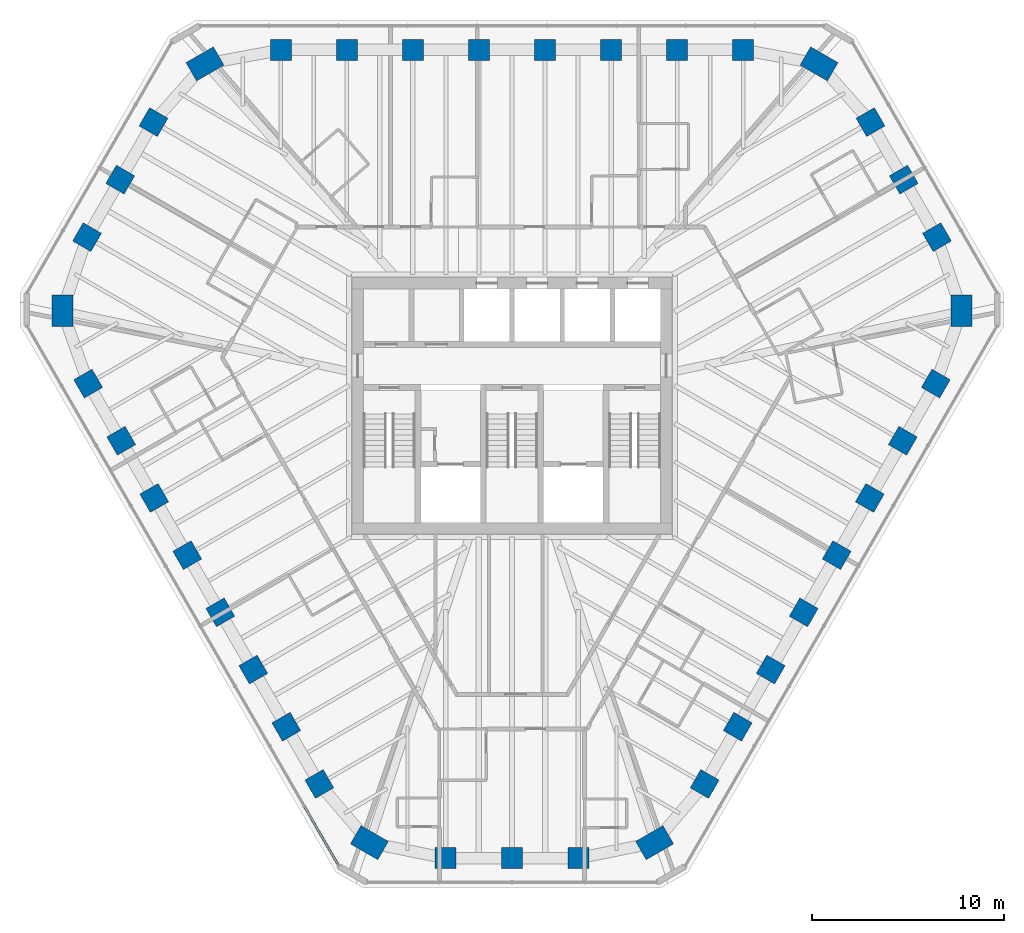
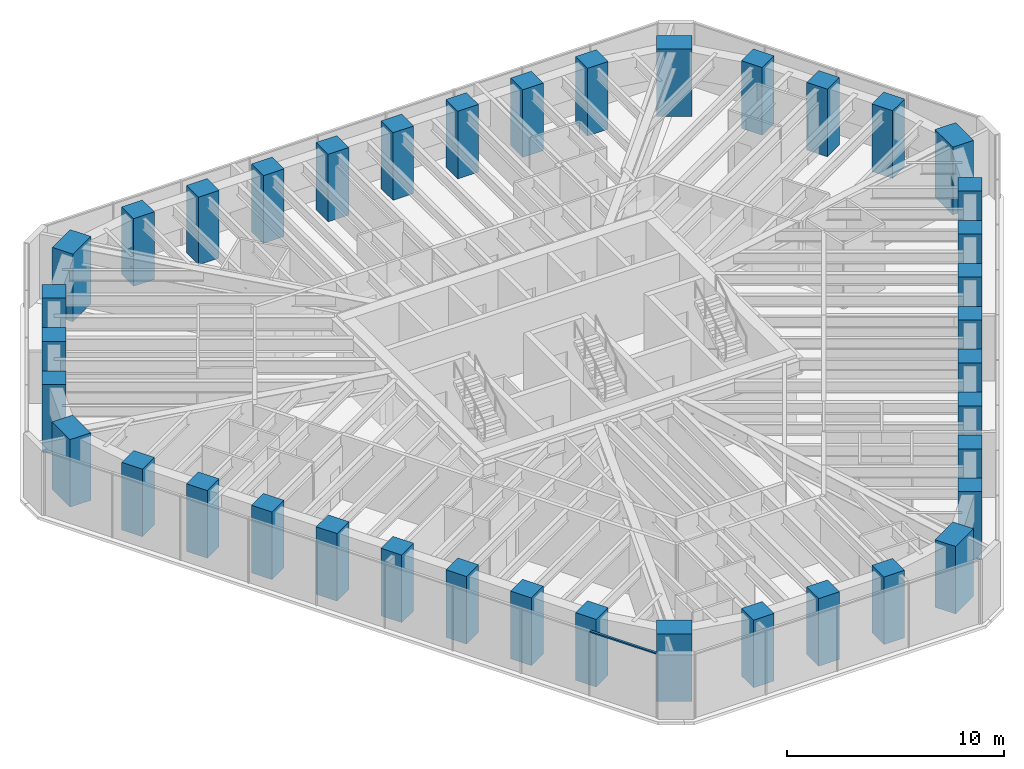
# One storey, part 1 of 14: 39 columns, 1 member, 1 element without a shape of its own.
"""IFC4 building model written with IfcOpenShell, lengths in metres."""

from ifc_helpers import new_model, si_unit, direction, frame, origin, origin_2d, place, context, subcontext, project, spatial, rectangle, extrude, material, material_profile, profile_set, type_object, element, aggregate, save


model = new_model("IFC4")

# Units and contexts
model_context = context("Model", 3, precision=1e-05, world=origin(), true_north=direction((0.0, 1.0)))
body_context = subcontext(model_context, "Body", "Model", "MODEL_VIEW")
ifc_project = project(units=[si_unit("LENGTHUNIT", "METRE"), si_unit("AREAUNIT", "SQUARE_METRE"), si_unit("VOLUMEUNIT", "CUBIC_METRE"), si_unit("PLANEANGLEUNIT", "RADIAN"), si_unit("MASSUNIT", "GRAM", prefix="KILO")], contexts=[model_context])

# Site, building, storey
site_placement = place(None, origin())
site = spatial("IfcSite", under=ifc_project, at=site_placement, CompositionType="ELEMENT")
building_placement = place(site_placement, origin())
building = spatial("IfcBuilding", under=site, at=building_placement, Name="Sandreach Pilgrim Tower", CompositionType="ELEMENT")
storey_placement = place(building_placement, frame((0.0, 0.0, 260.800048828125)))
storey = spatial("IfcBuildingStorey", under=building, at=storey_placement, Name="L65", CompositionType="ELEMENT", Elevation=260.800048828125)

# Columns
ifc_material_1 = material(Name="Concrete 10000 psi", Category="concrete")
ifc_material_profile_1 = material_profile(ifc_material_1, rectangle(XDim=1.10009765625, YDim=1.10009765625, at=origin_2d()), Name="RC1100X1100")
ifc_profile_set_1 = profile_set([ifc_material_profile_1], Name="Concrete 10000 psi")
column_type_1 = type_object("IfcColumnType", Name="Tube column RC1100X1100", PredefinedType="COLUMN", material=ifc_profile_set_1)
for number, where, z_axis, x_axis, name in (
    (1, (-12.0576171875, 18.56640625, 0.0), (0.0, 0.0, 1.0), (0.0, 1.0, 0.0), "COL L65 T01"),
    (2, (-8.612548828125, 18.56640625, 0.0), (0.0, 0.0, 1.0), (0.0, 1.0, 0.0), "COL L65 T02"),
    (3, (-5.16748046875, 18.56640625, 0.0), (0.0, 0.0, 1.0), (0.0, 1.0, 0.0), "COL L65 T03"),
    (4, (-1.722412109375, 18.56640625, 0.0), (0.0, 0.0, 1.0), (0.0, 1.0, 0.0), "COL L65 T04"),
    (5, (1.722412109375, 18.56640625, 0.0), (0.0, 0.0, 1.0), (0.0, 1.0, 0.0), "COL L65 T05"),
    (6, (5.16748046875, 18.56640625, 0.0), (0.0, 0.0, 1.0), (0.0, 1.0, 0.0), "COL L65 T06"),
    (7, (8.612548828125, 18.56640625, 0.0), (0.0, 0.0, 1.0), (0.0, 1.0, 0.0), "COL L65 T07"),
    (8, (12.0576171875, 18.56640625, 0.0), (0.0, 0.0, 1.0), (0.0, 1.0, 0.0), "COL L65 T08"),
    (9, (18.70361328125, 14.80029296875, 0.0), (0.0, 0.0, 1.0), (0.866025403784, 0.5, 0.0), "COL L65 T10"),
    (10, (20.4365234375, 11.799072265625, 0.0), (0.0, 0.0, 1.0), (0.866025403784, 0.5, 0.0), "COL L65 T11"),
    (11, (22.169189453125, 8.7978515625, 0.0), (0.0, 0.0, 1.0), (0.866025403784, 0.5, 0.0), "COL L65 T12"),
    (12, (22.10791015625, 1.158935546875, 0.0), (0.0, 0.0, 1.0), (0.866025403784, -0.5, 0.0), "COL L65 T14"),
    (13, (20.38525390625, -1.824462890625, 0.0), (0.0, 0.0, 1.0), (0.866025403784, -0.5, 0.0), "COL L65 T15"),
    (14, (18.662841796875, -4.80810546875, 0.0), (0.0, 0.0, 1.0), (0.866025403784, -0.5, 0.0), "COL L65 T16"),
    (15, (16.940185546875, -7.79150390625, 0.0), (0.0, 0.0, 1.0), (0.866025403784, -0.5, 0.0), "COL L65 T17"),
    (16, (15.2177734375, -10.77490234375, 0.0), (0.0, 0.0, 1.0), (0.866025403784, -0.5, 0.0), "COL L65 T18"),
    (17, (13.4951171875, -13.758544921875, 0.0), (0.0, 0.0, 1.0), (0.866025403784, -0.5, 0.0), "COL L65 T19"),
    (18, (11.772705078125, -16.741943359375, 0.0), (0.0, 0.0, 1.0), (0.866025403784, -0.5, 0.0), "COL L65 T20"),
    (19, (10.05029296875, -19.725341796875, 0.0), (0.0, 0.0, 1.0), (0.866025403784, -0.5, 0.0), "COL L65 T21"),
    (20, (3.465576171875, -23.59814453125, 0.0), (0.0, 0.0, 1.0), (0.0, -1.0, 0.0), "COL L65 T23"),
    (21, (0.0, -23.59814453125, 0.0), (0.0, 0.0, 1.0), (0.0, -1.0, 0.0), "COL L65 T24"),
    (22, (-3.465576171875, -23.59814453125, 0.0), (0.0, 0.0, 1.0), (0.0, -1.0, 0.0), "COL L65 T25"),
    (23, (-10.05029296875, -19.725341796875, 0.0), (0.0, 0.0, 1.0), (-0.866025403784, -0.5, 0.0), "COL L65 T27"),
    (24, (-11.772705078125, -16.741943359375, 0.0), (0.0, 0.0, 1.0), (-0.866025403784, -0.5, 0.0), "COL L65 T28"),
    (25, (-13.4951171875, -13.758544921875, 0.0), (0.0, 0.0, 1.0), (-0.866025403784, -0.5, 0.0), "COL L65 T29"),
    (26, (-15.2177734375, -10.77490234375, 0.0), (0.0, 0.0, 1.0), (-0.866025403784, -0.5, 0.0), "COL L65 T30"),
    (27, (-16.940185546875, -7.79150390625, 0.0), (0.0, 0.0, 1.0), (-0.866025403784, -0.5, 0.0), "COL L65 T31"),
    (28, (-18.662841796875, -4.80810546875, 0.0), (0.0, 0.0, 1.0), (-0.866025403784, -0.5, 0.0), "COL L65 T32"),
    (29, (-20.38525390625, -1.824462890625, 0.0), (0.0, 0.0, 1.0), (-0.866025403784, -0.5, 0.0), "COL L65 T33"),
    (30, (-22.10791015625, 1.158935546875, 0.0), (0.0, 0.0, 1.0), (-0.866025403784, -0.5, 0.0), "COL L65 T34"),
    (31, (-22.169189453125, 8.7978515625, 0.0), (0.0, 0.0, 1.0), (-0.866025403784, 0.5, 0.0), "COL L65 T36"),
    (32, (-20.4365234375, 11.799072265625, 0.0), (0.0, 0.0, 1.0), (-0.866025403784, 0.5, 0.0), "COL L65 T37"),
    (33, (-18.70361328125, 14.80029296875, 0.0), (0.0, 0.0, 1.0), (-0.866025403784, 0.5, 0.0), "COL L65 T38"),
):
    element("IfcColumn", number, at=place(storey_placement, frame(where, z_axis=z_axis, x_axis=x_axis)), inside=storey, type_object=column_type_1, Name=name, PredefinedType="COLUMN", context=body_context, shape_type="SweptSolid", body=[
        extrude(rectangle(XDim=1.10009765625, YDim=1.10009765625, at=origin_2d()), origin(), (0.0, 0.0, 1.0), 3.800048828125),
    ])
ifc_material_2 = material(Name="Concrete 10000 psi", Category="concrete")
ifc_material_profile_2 = material_profile(ifc_material_2, rectangle(XDim=1.10009765625, YDim=1.64990234375, at=origin_2d()), Name="RC1100X1650")
ifc_profile_set_2 = profile_set([ifc_material_profile_2], Name="Concrete 10000 psi")
column_type_2 = type_object("IfcColumnType", Name="Tube corner pier RC1100X1650", PredefinedType="COLUMN", material=ifc_profile_set_2)
for number, where, z_axis, x_axis, name in (
    (34, (16.0166015625, 17.837158203125, 0.0), (0.0, 0.0, 1.0), (0.5, 0.866025403784, 0.0), "COL L65 T09"),
    (35, (23.455810546875, 4.952392578125, 0.0), (0.0, 0.0, 1.0), (1.0, 0.0, 0.0), "COL L65 T13"),
    (36, (7.439208984375, -22.78955078125, 0.0), (0.0, 0.0, 1.0), (0.5, -0.866025403784, 0.0), "COL L65 T22"),
    (37, (-7.439208984375, -22.78955078125, 0.0), (0.0, 0.0, 1.0), (-0.5, -0.866025403784, 0.0), "COL L65 T26"),
    (38, (-23.455810546875, 4.952392578125, 0.0), (0.0, 0.0, 1.0), (-1.0, 0.0, 0.0), "COL L65 T35"),
    (39, (-16.0166015625, 17.837158203125, 0.0), (0.0, 0.0, 1.0), (-0.5, 0.866025403784, 0.0), "COL L65 T39"),
):
    element("IfcColumn", number, at=place(storey_placement, frame(where, z_axis=z_axis, x_axis=x_axis)), inside=storey, type_object=column_type_2, Name=name, PredefinedType="COLUMN", context=body_context, shape_type="SweptSolid", body=[
        extrude(rectangle(XDim=1.10009765625, YDim=1.64990234375, at=origin_2d()), origin(), (0.0, 0.0, 1.0), 3.800048828125),
    ])

# Curtain wall, member
ifc_material_3 = material(Name="Aluminium framed curtain wall", Category="aluminium")
curtain_wall_type = type_object("IfcCurtainWallType", Name="Suite tower curtain wall", PredefinedType="NOTDEFINED", material=ifc_material_3)
curtain_wall_placement = place(storey_placement, origin())
curtain_wall = element("IfcCurtainWall", 40, at=curtain_wall_placement, inside=storey, type_object=curtain_wall_type, Name="CW-4 L65 SW", PredefinedType="NOTDEFINED")
ifc_material_4 = material(Name="Aluminium extrusion", Category="aluminium")
ifc_material_profile_3 = material_profile(ifc_material_4, rectangle(XDim=0.1201171875, YDim=0.070068359375, at=origin_2d()), Name="CW-4T 120X70")
ifc_profile_set_3 = profile_set([ifc_material_profile_3], Name="Aluminium extrusion")
member_type = type_object("IfcMemberType", Name="CW-4 transom", PredefinedType="USERDEFINED", material=ifc_profile_set_3)
member_placement = place(storey_placement, frame((-9.051025390625, -23.97607421875, 3.60498046875), z_axis=(-0.499997709859, 0.866026725994, 0.0), x_axis=(-0.866026725994, -0.499997709859, 0.0)))
member = element("IfcMember", 41, at=member_placement, type_object=member_type, Name="CW-4 head transom 1", ObjectType="TRANSOM", PredefinedType="USERDEFINED", context=body_context, shape_type="SweptSolid", body=[
    extrude(rectangle(XDim=0.1201171875, YDim=0.070068359375, at=origin_2d()), origin(), (0.0, 0.0, 1.0), 3.53173828125),
])
aggregate(curtain_wall, [member])

save(model, "model.ifc")
